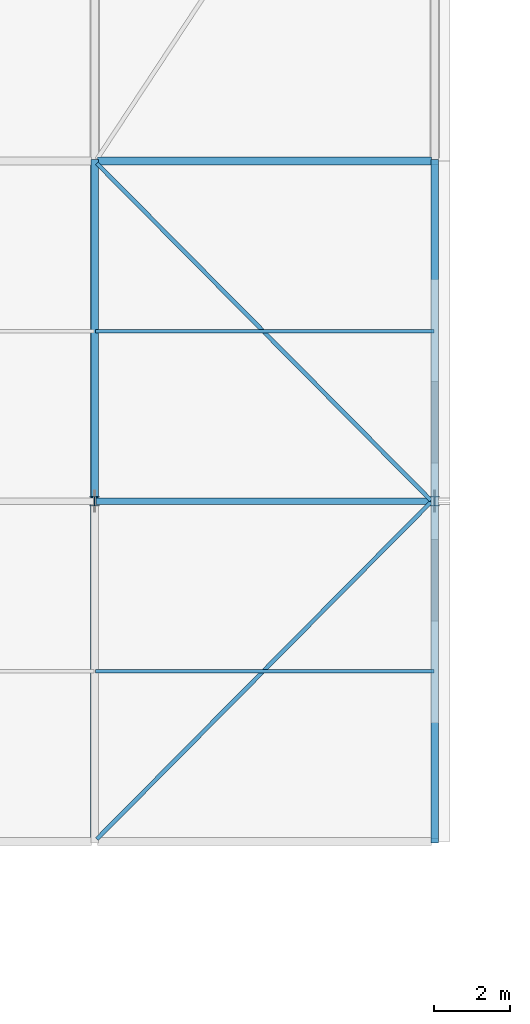
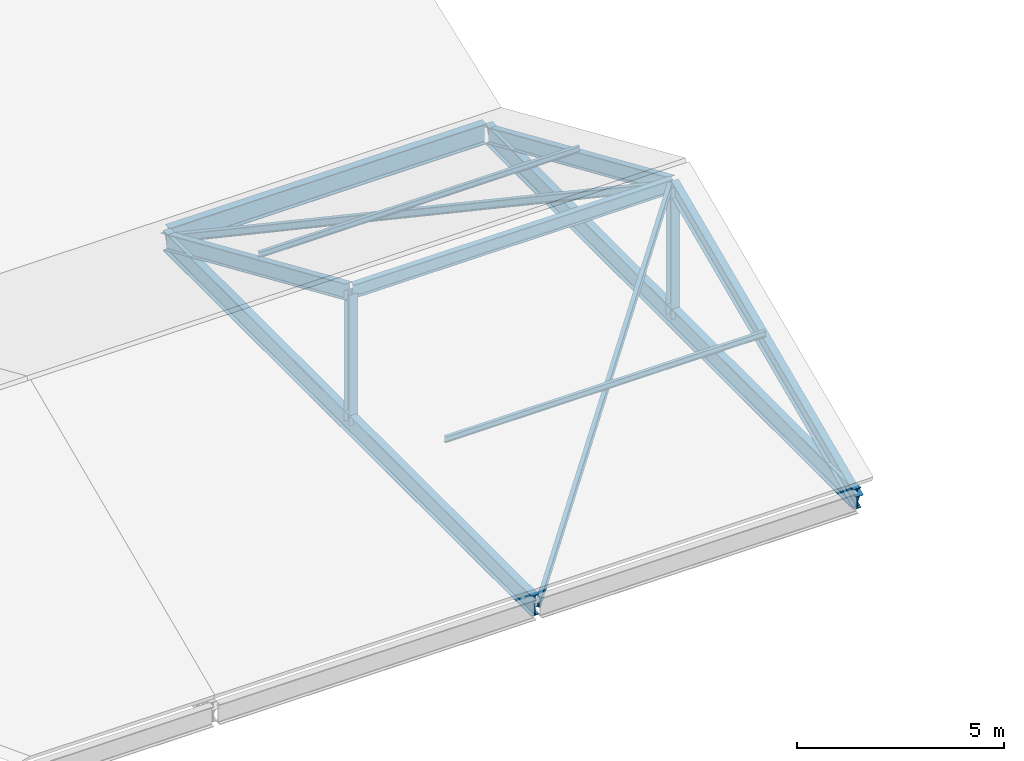
# One storey, part 26 of 163: 10 members, 3 beams.
"""IFC4 building model written with IfcOpenShell, lengths in metres."""

from ifc_helpers import new_model, si_unit, direction, frame, origin, origin_2d, place, context, subcontext, project, spatial, i_section, extrude, material, material_profile, profile_set, type_object, element, save


model = new_model("IFC4")

# Units and contexts
model_context = context("Model", 3, precision=1e-05, world=origin(), true_north=direction((0.0, 1.0)))
body_context = subcontext(model_context, "Body", "Model", "MODEL_VIEW")
ifc_project = project(units=[si_unit("LENGTHUNIT", "METRE"), si_unit("AREAUNIT", "SQUARE_METRE"), si_unit("VOLUMEUNIT", "CUBIC_METRE"), si_unit("PLANEANGLEUNIT", "RADIAN"), si_unit("MASSUNIT", "GRAM", prefix="KILO")], contexts=[model_context])

# Site, building, storey
site_placement = place(None, origin())
site = spatial("IfcSite", under=ifc_project, at=site_placement, CompositionType="ELEMENT")
building_placement = place(site_placement, origin())
building = spatial("IfcBuilding", under=site, at=building_placement, Name="Tharagai Park Tramway Depot", CompositionType="ELEMENT")
storey_placement = place(building_placement, frame((0.0, 0.0, 8.39990234375)))
storey = spatial("IfcBuildingStorey", under=building, at=storey_placement, Name="L02", CompositionType="ELEMENT", Elevation=8.39990234375)

# Beams
ifc_material_1 = material(Name="Steel E350", Category="steel")
ifc_material_profile_1 = material_profile(ifc_material_1, i_section(OverallWidth=0.2099609375, OverallDepth=0.60009765625, WebThickness=0.011962890625, FlangeThickness=0.020751953125, FilletRadius=0.02001953125, at=origin_2d()), Name="ISMB 600")
ifc_profile_set_1 = profile_set([ifc_material_profile_1], Name="Steel E350")
beam_type = type_object("IfcBeamType", Name="BM-10", PredefinedType="BEAM", material=ifc_profile_set_1)
beam_placement = place(storey_placement, frame((81.080078125, 63.0, -0.5498046875), z_axis=(1.0, 0.0, 0.0), x_axis=(0.0, 1.0, 0.0)))
element("IfcBeam", 1, at=beam_placement, inside=storey, type_object=beam_type, Name="V2A Roof Eave Girder BM-10", PredefinedType="BEAM", context=body_context, shape_type="SweptSolid", body=[
    extrude(i_section(OverallWidth=0.2099609375, OverallDepth=0.60009765625, WebThickness=0.011962890625, FlangeThickness=0.020751953125, FilletRadius=0.02001953125, at=origin_2d()), origin(), (0.0, 0.0, 1.0), 8.83984375),
])
for number, where, z_axis, x_axis, name in (
    (2, (81.0, 45.080078125, -0.5498046875), (0.0, 1.0, 0.0), (-1.0, 0.0, 0.0), "V2A Gable Tie Girder BM-10"),
    (3, (90.0, 45.080078125, -0.5498046875), (0.0, 1.0, 0.0), (-1.0, 0.0, 0.0), "V2A Gable Tie Girder BM-10"),
):
    element("IfcBeam", number, at=place(storey_placement, frame(where, z_axis=z_axis, x_axis=x_axis)), inside=storey, type_object=beam_type, Name=name, PredefinedType="BEAM", context=body_context, shape_type="SweptSolid", body=[
        extrude(i_section(OverallWidth=0.2099609375, OverallDepth=0.60009765625, WebThickness=0.011962890625, FlangeThickness=0.020751953125, FilletRadius=0.02001953125, at=origin_2d()), origin(), (0.0, 0.0, 1.0), 17.83984375),
    ])

# Members
ifc_material_profile_2 = material_profile(ifc_material_1, i_section(OverallWidth=0.25, OverallDepth=0.25, WebThickness=0.0087890625, FlangeThickness=0.009765625, FilletRadius=0.010009765625, at=origin_2d()), Name="ISHB 250")
ifc_profile_set_2 = profile_set([ifc_material_profile_2], Name="Steel E350")
member_type_1 = type_object("IfcMemberType", Name="BR-01", PredefinedType="BRACE", material=ifc_profile_set_2)
for number, where, z_axis, x_axis, name in (
    (4, (81.0, 54.0, -0.5498046875), (0.0, 0.0, 1.0), (1.0, 0.0, 0.0), "V2A Gable King Strut BR-01"),
    (5, (90.0, 54.0, -0.5498046875), (0.0, 0.0, 1.0), (1.0, 0.0, 0.0), "V2A Gable King Strut BR-01"),
):
    element("IfcMember", number, at=place(storey_placement, frame(where, z_axis=z_axis, x_axis=x_axis)), inside=storey, type_object=member_type_1, Name=name, PredefinedType="BRACE", context=body_context, shape_type="SweptSolid", body=[
        extrude(i_section(OverallWidth=0.25, OverallDepth=0.25, WebThickness=0.0087890625, FlangeThickness=0.009765625, FilletRadius=0.010009765625, at=origin_2d()), origin(), (0.0, 0.0, 1.0), 3.85791015625),
    ])
ifc_material_profile_3 = material_profile(ifc_material_1, i_section(OverallWidth=0.110107421875, OverallDepth=0.22509765625, WebThickness=0.006591796875, FlangeThickness=0.01171875, FilletRadius=0.011962890625, at=origin_2d()), Name="ISMB 225")
ifc_profile_set_3 = profile_set([ifc_material_profile_3], Name="Steel E350")
member_type_2 = type_object("IfcMemberType", Name="BR-04", PredefinedType="BRACE", material=ifc_profile_set_3)
for number, where, z_axis, x_axis, name in (
    (6, (81.080078125, 45.080078125, -0.5498046875), (0.672500683925, 0.678592713983, 0.295389164747), (-0.710287879152, 0.703911307432, 0.0), "V2A Roof Wind Brace BR-04"),
    (7, (81.080078125, 62.919921875, -0.5498046875), (0.672500683925, -0.678592713983, 0.295389164747), (0.710287879152, 0.703911307432, 0.0), "V2A Roof Wind Brace BR-04"),
):
    element("IfcMember", number, at=place(storey_placement, frame(where, z_axis=z_axis, x_axis=x_axis)), inside=storey, type_object=member_type_2, Name=name, PredefinedType="BRACE", context=body_context, shape_type="SweptSolid", body=[
        extrude(i_section(OverallWidth=0.110107421875, OverallDepth=0.22509765625, WebThickness=0.006591796875, FlangeThickness=0.01171875, FilletRadius=0.011962890625, at=origin_2d()), origin(), (0.0, 0.0, 1.0), 13.144775390625),
    ])
ifc_material_2 = material(Name="Steel E250", Category="steel")
ifc_material_profile_4 = material_profile(ifc_material_2, i_section(OverallWidth=0.090087890625, OverallDepth=0.175048828125, WebThickness=0.005615234375, FlangeThickness=0.009033203125, FilletRadius=0.010009765625, at=origin_2d()), Name="ISMB 175")
ifc_profile_set_4 = profile_set([ifc_material_profile_4], Name="Steel E250")
member_type_3 = type_object("IfcMemberType", Name="PR-01", PredefinedType="PURLIN", material=ifc_profile_set_4)
for number, where, z_axis, x_axis, name in (
    (8, (81.02001953125, 49.5, 1.6689453125), (1.0, 0.0, 0.0), (0.0, 1.0, 0.0), "V2A Roof Purlin PR-01"),
    (9, (81.02001953125, 58.5, 1.6689453125), (1.0, 0.0, 0.0), (0.0, 1.0, 0.0), "V2A Roof Purlin PR-01"),
):
    element("IfcMember", number, at=place(storey_placement, frame(where, z_axis=z_axis, x_axis=x_axis)), inside=storey, type_object=member_type_3, Name=name, PredefinedType="PURLIN", context=body_context, shape_type="SweptSolid", body=[
        extrude(i_section(OverallWidth=0.090087890625, OverallDepth=0.175048828125, WebThickness=0.005615234375, FlangeThickness=0.009033203125, FilletRadius=0.010009765625, at=origin_2d()), origin(), (0.0, 0.0, 1.0), 8.9599609375),
    ])
ifc_material_profile_5 = material_profile(ifc_material_1, i_section(OverallWidth=0.199951171875, OverallDepth=0.449951171875, WebThickness=0.00927734375, FlangeThickness=0.015380859375, FilletRadius=0.014892578125, at=origin_2d()), Name="ISWB 450")
ifc_profile_set_5 = profile_set([ifc_material_profile_5], Name="Steel E350")
member_type_4 = type_object("IfcMemberType", Name="RF-03", PredefinedType="RAFTER", material=ifc_profile_set_5)
for number, where, z_axis, x_axis, name in (
    (10, (81.0, 54.0, 3.30810546875), (0.0, 0.916242784214, -0.400623464584), (-1.0, 0.0, 0.0), "V2A Pitched Rafter RF-03 North"),
    (11, (90.0, 45.050048828125, -0.605224609375), (0.0, 0.916242784214, 0.400623464584), (-1.0, 0.0, 0.0), "V2A Pitched Rafter RF-03 South"),
    (12, (90.0, 54.0, 3.30810546875), (0.0, 0.916242784214, -0.400623464584), (-1.0, 0.0, 0.0), "V2A Pitched Rafter RF-03 North"),
):
    element("IfcMember", number, at=place(storey_placement, frame(where, z_axis=z_axis, x_axis=x_axis)), inside=storey, type_object=member_type_4, Name=name, PredefinedType="RAFTER", context=body_context, shape_type="SweptSolid", body=[
        extrude(i_section(OverallWidth=0.199951171875, OverallDepth=0.449951171875, WebThickness=0.00927734375, FlangeThickness=0.015380859375, FilletRadius=0.014892578125, at=origin_2d()), origin(), (0.0, 0.0, 1.0), 9.76806640625),
    ])
ifc_material_profile_6 = material_profile(ifc_material_1, i_section(OverallWidth=0.1650390625, OverallDepth=0.39990234375, WebThickness=0.008056640625, FlangeThickness=0.012451171875, FilletRadius=0.013916015625, at=origin_2d()), Name="ISLB 400")
ifc_profile_set_6 = profile_set([ifc_material_profile_6], Name="Steel E350")
member_type_5 = type_object("IfcMemberType", Name="TC-04", PredefinedType="CHORD", material=ifc_profile_set_6)
member_placement = place(storey_placement, frame((81.0400390625, 54.0, 3.3330078125), z_axis=(1.0, 0.0, 0.0), x_axis=(0.0, 1.0, 0.0)))
element("IfcMember", 13, at=member_placement, inside=storey, type_object=member_type_5, Name="V2A Roof Ridge Chord TC-04", PredefinedType="CHORD", context=body_context, shape_type="SweptSolid", body=[
    extrude(i_section(OverallWidth=0.1650390625, OverallDepth=0.39990234375, WebThickness=0.008056640625, FlangeThickness=0.012451171875, FilletRadius=0.013916015625, at=origin_2d()), origin(), (0.0, 0.0, 1.0), 8.919921875),
])

save(model, "model.ifc")
